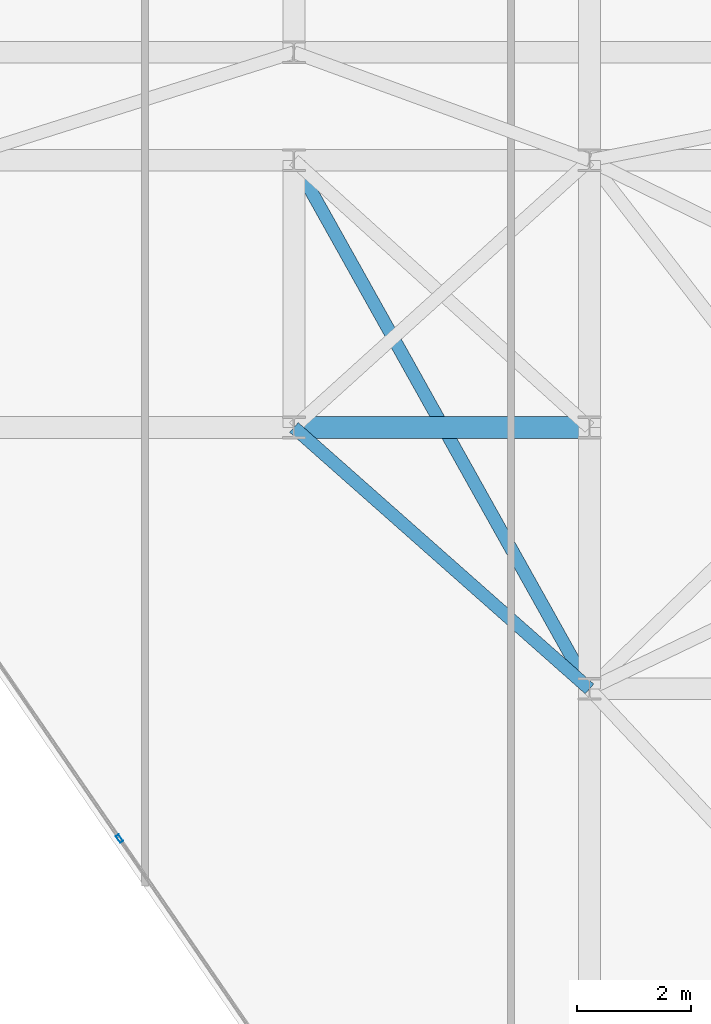
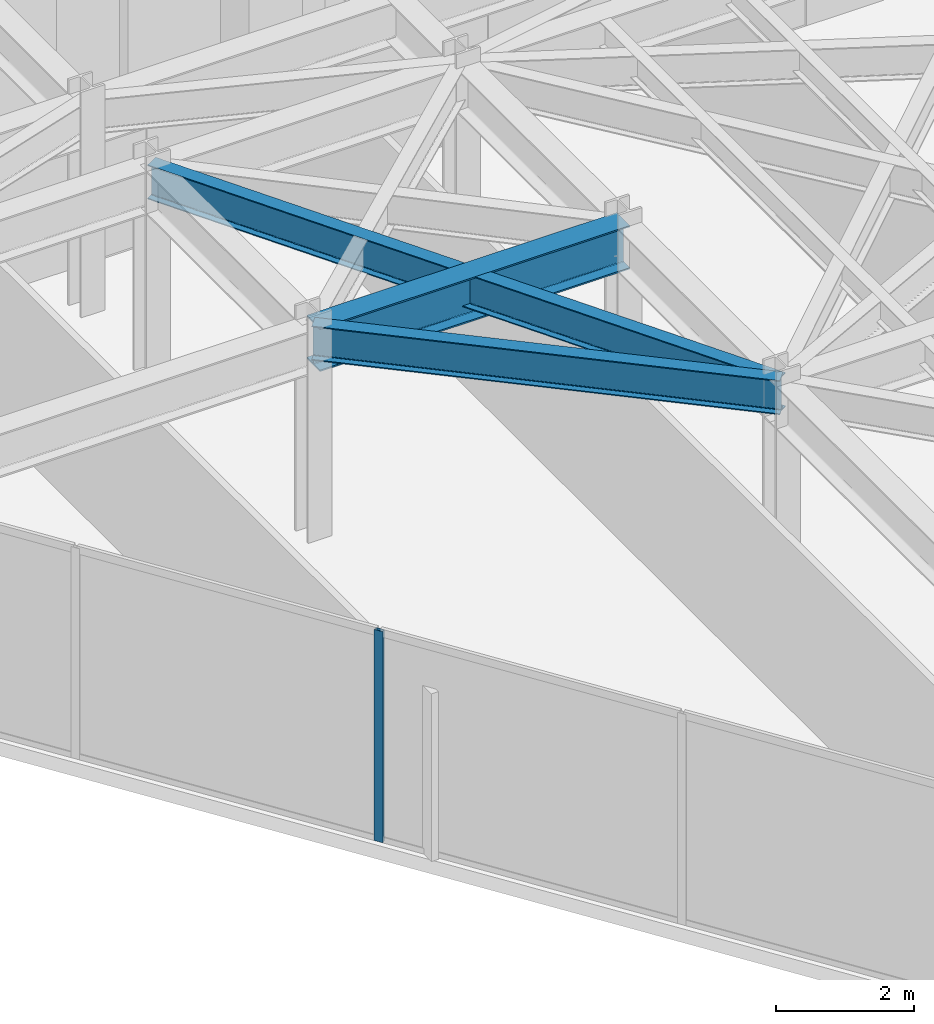
# One storey, part 12 of 21: 3 beams, 1 member, 1 element without a shape of its own.
"""IFC4 building model written with IfcOpenShell, lengths in metres."""

from ifc_helpers import new_model, si_unit, direction, frame, origin, origin_2d, place, context, subcontext, project, spatial, hollow_rectangle, i_section, extrude, material, layer, layer_set, material_profile, profile_set, type_object, element, aggregate, save


model = new_model("IFC4")

# Units and contexts
model_context = context("Model", 3, precision=1e-05, world=origin(), true_north=direction((0.0, 1.0)))
body_context = subcontext(model_context, "Body", "Model", "MODEL_VIEW")
ifc_project = project(units=[si_unit("LENGTHUNIT", "METRE"), si_unit("AREAUNIT", "SQUARE_METRE"), si_unit("VOLUMEUNIT", "CUBIC_METRE"), si_unit("PLANEANGLEUNIT", "RADIAN"), si_unit("MASSUNIT", "GRAM", prefix="KILO")], contexts=[model_context])

# Site, building, storey
site_placement = place(None, origin())
site = spatial("IfcSite", under=ifc_project, at=site_placement, CompositionType="ELEMENT")
building_placement = place(site_placement, origin())
building = spatial("IfcBuilding", under=site, at=building_placement, Name="Kravanh Interchange Tower", CompositionType="ELEMENT")
storey_placement = place(building_placement, frame((0.0, 0.0, 216.5)))
storey = spatial("IfcBuildingStorey", under=building, at=storey_placement, Name="L52", CompositionType="ELEMENT", Elevation=216.5)

# Curtain wall, member
ifc_material_1 = material(Name="Anodised Bronze Aluminium", Category="aluminium")
ifc_layer = layer(ifc_material_1, 0.179931640625)
ifc_layer_set = layer_set([ifc_layer], Name="Unitised Curtain Wall System CW-Z3 Upper Office")
curtain_wall_type = type_object("IfcCurtainWallType", Name="Unitised Curtain Wall System CW-Z3 Upper Office", PredefinedType="NOTDEFINED", material=ifc_layer_set)
curtain_wall_placement = place(storey_placement, origin())
curtain_wall = element("IfcCurtainWall", 1, at=curtain_wall_placement, inside=storey, type_object=curtain_wall_type, Name="L52 Unitised Curtain Wall CW-L52-03", PredefinedType="NOTDEFINED")
ifc_material_2 = material(Name="Anodised Bronze Aluminium", Category="aluminium")
ifc_material_profile_1 = material_profile(ifc_material_2, hollow_rectangle(XDim=0.06005859375, YDim=0.139892578125, WallThickness=0.00390625, at=origin_2d()), Name="ALU60X140X4")
ifc_profile_set_1 = profile_set([ifc_material_profile_1], Name="Anodised Bronze Aluminium")
member_type = type_object("IfcMemberType", Name="Curtain Wall Mullion ALU60X140X4 Bronze", PredefinedType="MULLION", material=ifc_profile_set_1)
member_placement = place(storey_placement, frame((47.7314453125, 19.56591796875, 0.0), z_axis=(0.0, 0.0, 1.0), x_axis=(-0.824042223035, -0.566528388217, 0.0)))
member = element("IfcMember", 2, at=member_placement, type_object=member_type, Name="CW-Z3 mullion 3", PredefinedType="MULLION", context=body_context, shape_type="SweptSolid", body=[
    extrude(hollow_rectangle(XDim=0.06005859375, YDim=0.139892578125, WallThickness=0.00390625, at=origin_2d()), origin(), (0.0, 0.0, 1.0), 3.7451171875),
])
aggregate(curtain_wall, [member])

# Beams
ifc_material_3 = material(Name="Structural Steel S355", Category="steel")
ifc_material_profile_2 = material_profile(ifc_material_3, i_section(OverallWidth=0.381103515625, OverallDepth=0.77294921875, WebThickness=0.0166015625, FlangeThickness=0.027099609375, FilletRadius=0.02490234375, at=origin_2d()), Name="W30X173")
ifc_profile_set_2 = profile_set([ifc_material_profile_2], Name="Structural Steel S355")
beam_type_1 = type_object("IfcBeamType", Name="Floor Beam W30X173 Structural Steel S355", PredefinedType="BEAM", material=ifc_profile_set_2)
beam_1_placement = place(storey_placement, frame((50.800048828125, 26.800048828125, 3.3583984375), z_axis=(1.0, 0.0, 0.0), x_axis=(0.0, 1.0, 0.0)))
element("IfcBeam", 3, at=beam_1_placement, inside=storey, type_object=beam_type_1, Name="L52 Primary Floor Girder 50", PredefinedType="BEAM", context=body_context, shape_type="SweptSolid", body=[
    extrude(i_section(OverallWidth=0.381103515625, OverallDepth=0.77294921875, WebThickness=0.0166015625, FlangeThickness=0.027099609375, FilletRadius=0.02490234375, at=origin_2d()), origin(), (0.0, 0.0, 1.0), 5.199951171875),
])
ifc_material_4 = material(Name="Structural Steel S355", Category="steel")
ifc_material_profile_3 = material_profile(ifc_material_4, i_section(OverallWidth=0.22802734375, OverallDepth=0.60791015625, WebThickness=0.01123046875, FlangeThickness=0.017333984375, FilletRadius=0.02197265625, at=origin_2d()), Name="W24X76")
ifc_profile_set_3 = profile_set([ifc_material_profile_3], Name="Structural Steel S355")
beam_type_2 = type_object("IfcBeamType", Name="Floor Spandrel W24X76 Structural Steel S355", PredefinedType="SPANDREL", material=ifc_profile_set_3)
beam_2_placement = place(storey_placement, frame((50.800048828125, 26.800048828125, 3.44091796875), z_axis=(0.74898649432, -0.662585263439, 0.0), x_axis=(0.662585263439, 0.74898649432, 0.0)))
element("IfcBeam", 4, at=beam_2_placement, inside=storey, type_object=beam_type_2, Name="L52 Perimeter Spandrel 51", PredefinedType="SPANDREL", context=body_context, shape_type="SweptSolid", body=[
    extrude(i_section(OverallWidth=0.22802734375, OverallDepth=0.60791015625, WebThickness=0.01123046875, FlangeThickness=0.017333984375, FilletRadius=0.02197265625, at=origin_2d()), origin(), (0.0, 0.0, 1.0), 6.942626953125),
])
beam_3_placement = place(storey_placement, frame((50.800048828125, 31.5, 3.44091796875), z_axis=(0.488026248114, -0.872828952975, 0.0), x_axis=(0.872828952975, 0.488026248114, 0.0)))
element("IfcBeam", 5, at=beam_3_placement, inside=storey, type_object=beam_type_2, Name="L52 Perimeter Spandrel 78", PredefinedType="SPANDREL", context=body_context, shape_type="SweptSolid", body=[
    extrude(i_section(OverallWidth=0.22802734375, OverallDepth=0.60791015625, WebThickness=0.01123046875, FlangeThickness=0.017333984375, FilletRadius=0.02197265625, at=origin_2d()), origin(), (0.0, 0.0, 1.0), 10.655029296875),
])

save(model, "model.ifc")
